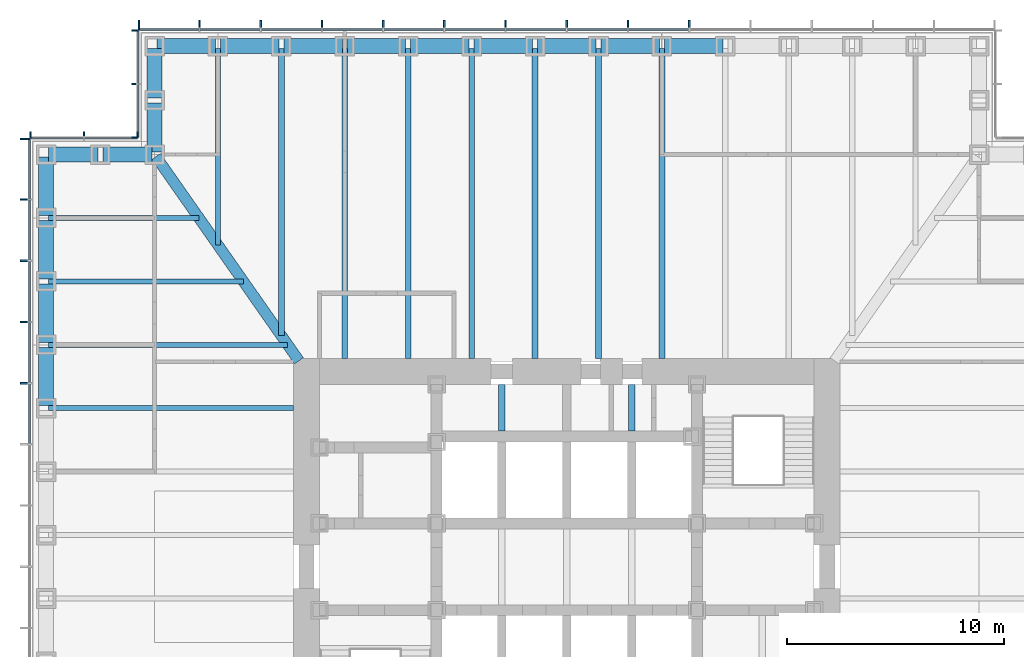
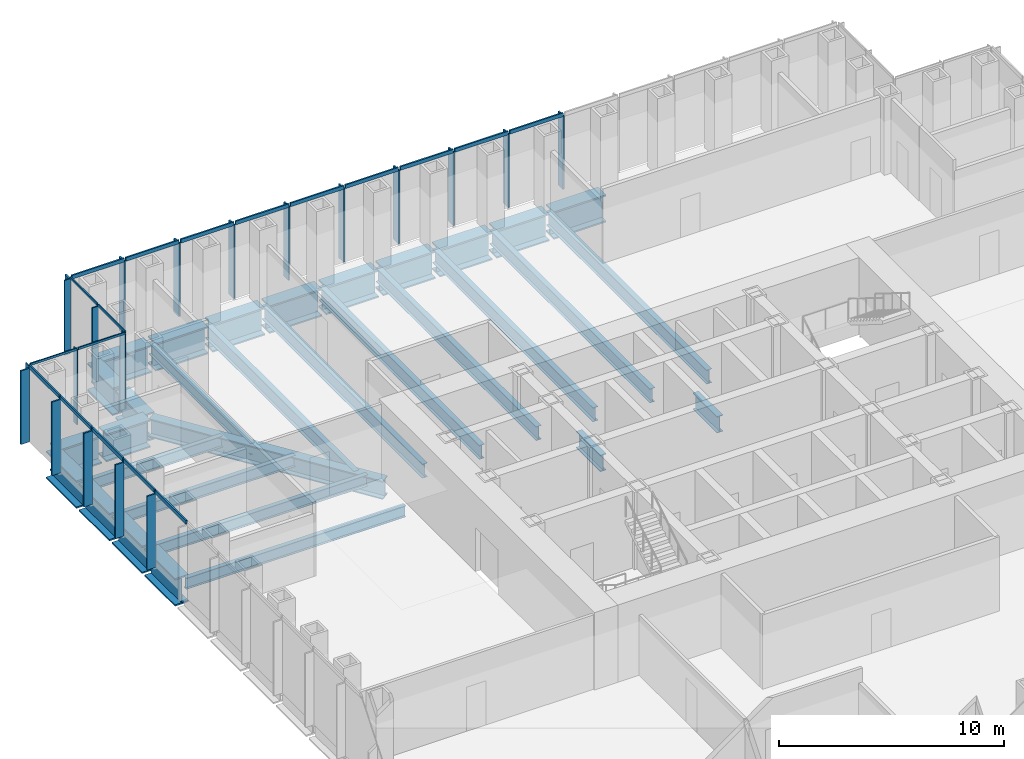
# One storey, part 5 of 17: 39 members, 32 beams, 4 elements without a shape of their own.
"""IFC4 building model written with IfcOpenShell, lengths in metres."""

from ifc_helpers import new_model, si_unit, direction, frame, origin, origin_2d, place, context, subcontext, project, spatial, rectangle, i_section, extrude, material, material_profile, profile_set, type_object, element, aggregate, save


model = new_model("IFC4")

# Units and contexts
model_context = context("Model", 3, precision=1e-05, world=origin(), true_north=direction((0.0, 1.0)))
body_context = subcontext(model_context, "Body", "Model", "MODEL_VIEW")
ifc_project = project(units=[si_unit("LENGTHUNIT", "METRE"), si_unit("AREAUNIT", "SQUARE_METRE"), si_unit("VOLUMEUNIT", "CUBIC_METRE"), si_unit("PLANEANGLEUNIT", "RADIAN"), si_unit("MASSUNIT", "GRAM", prefix="KILO")], contexts=[model_context])

# Site, building, storey
site_placement = place(None, origin())
site = spatial("IfcSite", under=ifc_project, at=site_placement, CompositionType="ELEMENT")
building_placement = place(site_placement, origin())
building = spatial("IfcBuilding", under=site, at=building_placement, Name="Daluyong Arena Tower", CompositionType="ELEMENT")
storey_placement = place(building_placement, frame((0.0, 0.0, 85.300048828125)))
storey = spatial("IfcBuildingStorey", under=building, at=storey_placement, Name="L18", CompositionType="ELEMENT", Elevation=85.300048828125)

# Curtain wall, members
ifc_material_1 = material(Name="Bronze anodised aluminium and glass", Category="aluminium")
curtain_wall_type_1 = type_object("IfcCurtainWallType", Name="Curtain wall CW1", PredefinedType="USERDEFINED", material=ifc_material_1)
curtain_wall_1_placement = place(storey_placement, origin())
curtain_wall_1 = element("IfcCurtainWall", 1, at=curtain_wall_1_placement, inside=storey, type_object=curtain_wall_type_1, Name="curtain wall L18 N", ObjectType="UNITISED CURTAIN WALL", PredefinedType="USERDEFINED")
ifc_material_2 = material(Name="Bronze anodised aluminium fin", Category="aluminium")
ifc_material_profile_1 = material_profile(ifc_material_2, rectangle(XDim=0.449951171875, YDim=0.080078125, at=origin_2d()))
ifc_profile_set_1 = profile_set([ifc_material_profile_1], Name="Bronze anodised aluminium fin")
member_type_1 = type_object("IfcMemberType", Name="CW1 bronze fin 450x80", PredefinedType="MULLION", material=ifc_profile_set_1)
member_1_placement = place(storey_placement, frame((61.642822265625, 104.97509765625, 0.0), z_axis=(0.0, 0.0, 1.0), x_axis=(0.0, -1.0, 0.0)))
member_1 = element("IfcMember", 2, at=member_1_placement, type_object=member_type_1, Name="curtain wall L18 N fin 6", PredefinedType="MULLION", context=body_context, shape_type="SweptSolid", body=[
    extrude(rectangle(XDim=0.449951171875, YDim=0.080078125, at=origin_2d()), origin(), (0.0, 0.0, 1.0), 4.0),
])
member_2_placement = place(storey_placement, frame((58.821533203125, 104.97509765625, 0.0), z_axis=(0.0, 0.0, 1.0), x_axis=(0.0, -1.0, 0.0)))
member_2 = element("IfcMember", 3, at=member_2_placement, type_object=member_type_1, Name="curtain wall L18 N fin 7", PredefinedType="MULLION", context=body_context, shape_type="SweptSolid", body=[
    extrude(rectangle(XDim=0.449951171875, YDim=0.080078125, at=origin_2d()), origin(), (0.0, 0.0, 1.0), 4.0),
])
member_3_placement = place(storey_placement, frame((56.0, 104.97509765625, 0.0), z_axis=(0.0, 0.0, 1.0), x_axis=(0.0, -1.0, 0.0)))
member_3 = element("IfcMember", 4, at=member_3_placement, type_object=member_type_1, Name="curtain wall L18 N fin 8", PredefinedType="MULLION", context=body_context, shape_type="SweptSolid", body=[
    extrude(rectangle(XDim=0.449951171875, YDim=0.080078125, at=origin_2d()), origin(), (0.0, 0.0, 1.0), 4.0),
])
member_4_placement = place(storey_placement, frame((53.178466796875, 104.97509765625, 0.0), z_axis=(0.0, 0.0, 1.0), x_axis=(0.0, -1.0, 0.0)))
member_4 = element("IfcMember", 5, at=member_4_placement, type_object=member_type_1, Name="curtain wall L18 N fin 9", PredefinedType="MULLION", context=body_context, shape_type="SweptSolid", body=[
    extrude(rectangle(XDim=0.449951171875, YDim=0.080078125, at=origin_2d()), origin(), (0.0, 0.0, 1.0), 4.0),
])
member_5_placement = place(storey_placement, frame((50.357177734375, 104.97509765625, 0.0), z_axis=(0.0, 0.0, 1.0), x_axis=(0.0, -1.0, 0.0)))
member_5 = element("IfcMember", 6, at=member_5_placement, type_object=member_type_1, Name="curtain wall L18 N fin 10", PredefinedType="MULLION", context=body_context, shape_type="SweptSolid", body=[
    extrude(rectangle(XDim=0.449951171875, YDim=0.080078125, at=origin_2d()), origin(), (0.0, 0.0, 1.0), 4.0),
])
member_6_placement = place(storey_placement, frame((47.53564453125, 104.97509765625, 0.0), z_axis=(0.0, 0.0, 1.0), x_axis=(0.0, -1.0, 0.0)))
member_6 = element("IfcMember", 7, at=member_6_placement, type_object=member_type_1, Name="curtain wall L18 N fin 11", PredefinedType="MULLION", context=body_context, shape_type="SweptSolid", body=[
    extrude(rectangle(XDim=0.449951171875, YDim=0.080078125, at=origin_2d()), origin(), (0.0, 0.0, 1.0), 4.0),
])
member_7_placement = place(storey_placement, frame((44.71435546875, 104.97509765625, 0.0), z_axis=(0.0, 0.0, 1.0), x_axis=(0.0, -1.0, 0.0)))
member_7 = element("IfcMember", 8, at=member_7_placement, type_object=member_type_1, Name="curtain wall L18 N fin 12", PredefinedType="MULLION", context=body_context, shape_type="SweptSolid", body=[
    extrude(rectangle(XDim=0.449951171875, YDim=0.080078125, at=origin_2d()), origin(), (0.0, 0.0, 1.0), 4.0),
])
member_8_placement = place(storey_placement, frame((41.892822265625, 104.97509765625, 0.0), z_axis=(0.0, 0.0, 1.0), x_axis=(0.0, -1.0, 0.0)))
member_8 = element("IfcMember", 9, at=member_8_placement, type_object=member_type_1, Name="curtain wall L18 N fin 13", PredefinedType="MULLION", context=body_context, shape_type="SweptSolid", body=[
    extrude(rectangle(XDim=0.449951171875, YDim=0.080078125, at=origin_2d()), origin(), (0.0, 0.0, 1.0), 4.0),
])
member_9_placement = place(storey_placement, frame((39.071533203125, 104.97509765625, 0.0), z_axis=(0.0, 0.0, 1.0), x_axis=(0.0, -1.0, 0.0)))
member_9 = element("IfcMember", 10, at=member_9_placement, type_object=member_type_1, Name="curtain wall L18 N fin 14", PredefinedType="MULLION", context=body_context, shape_type="SweptSolid", body=[
    extrude(rectangle(XDim=0.449951171875, YDim=0.080078125, at=origin_2d()), origin(), (0.0, 0.0, 1.0), 4.0),
])
member_10_placement = place(storey_placement, frame((36.2900390625, 104.97509765625, 0.0), z_axis=(0.0, 0.0, 1.0), x_axis=(0.0, -1.0, 0.0)))
member_10 = element("IfcMember", 11, at=member_10_placement, type_object=member_type_1, Name="curtain wall L18 N fin 15", PredefinedType="MULLION", context=body_context, shape_type="SweptSolid", body=[
    extrude(rectangle(XDim=0.449951171875, YDim=0.080078125, at=origin_2d()), origin(), (0.0, 0.0, 1.0), 4.0),
])

curtain_wall_2_placement = place(storey_placement, origin())
curtain_wall_2 = element("IfcCurtainWall", 12, at=curtain_wall_2_placement, inside=storey, type_object=curtain_wall_type_1, Name="curtain wall L18 W", ObjectType="UNITISED CURTAIN WALL", PredefinedType="USERDEFINED")
member_11_placement = place(storey_placement, frame((31.02490234375, 99.7099609375, 0.0), z_axis=(0.0, 0.0, 1.0), x_axis=(1.0, 0.0, 0.0)))
member_11 = element("IfcMember", 13, at=member_11_placement, type_object=member_type_1, Name="curtain wall L18 W fin 1", PredefinedType="MULLION", context=body_context, shape_type="SweptSolid", body=[
    extrude(rectangle(XDim=0.449951171875, YDim=0.080078125, at=origin_2d()), origin(), (0.0, 0.0, 1.0), 4.0),
])
member_12_placement = place(storey_placement, frame((31.02490234375, 96.928466796875, 0.0), z_axis=(0.0, 0.0, 1.0), x_axis=(1.0, 0.0, 0.0)))
member_12 = element("IfcMember", 14, at=member_12_placement, type_object=member_type_1, Name="curtain wall L18 W fin 2", PredefinedType="MULLION", context=body_context, shape_type="SweptSolid", body=[
    extrude(rectangle(XDim=0.449951171875, YDim=0.080078125, at=origin_2d()), origin(), (0.0, 0.0, 1.0), 4.0),
])
member_13_placement = place(storey_placement, frame((31.02490234375, 94.107177734375, 0.0), z_axis=(0.0, 0.0, 1.0), x_axis=(1.0, 0.0, 0.0)))
member_13 = element("IfcMember", 15, at=member_13_placement, type_object=member_type_1, Name="curtain wall L18 W fin 3", PredefinedType="MULLION", context=body_context, shape_type="SweptSolid", body=[
    extrude(rectangle(XDim=0.449951171875, YDim=0.080078125, at=origin_2d()), origin(), (0.0, 0.0, 1.0), 4.0),
])
member_14_placement = place(storey_placement, frame((31.02490234375, 91.28564453125, 0.0), z_axis=(0.0, 0.0, 1.0), x_axis=(1.0, 0.0, 0.0)))
member_14 = element("IfcMember", 16, at=member_14_placement, type_object=member_type_1, Name="curtain wall L18 W fin 4", PredefinedType="MULLION", context=body_context, shape_type="SweptSolid", body=[
    extrude(rectangle(XDim=0.449951171875, YDim=0.080078125, at=origin_2d()), origin(), (0.0, 0.0, 1.0), 4.0),
])
member_15_placement = place(storey_placement, frame((31.02490234375, 88.46435546875, 0.0), z_axis=(0.0, 0.0, 1.0), x_axis=(1.0, 0.0, 0.0)))
member_15 = element("IfcMember", 17, at=member_15_placement, type_object=member_type_1, Name="curtain wall L18 W fin 5", PredefinedType="MULLION", context=body_context, shape_type="SweptSolid", body=[
    extrude(rectangle(XDim=0.449951171875, YDim=0.080078125, at=origin_2d()), origin(), (0.0, 0.0, 1.0), 4.0),
])

# Member
ifc_material_3 = material(Name="Bronze anodised aluminium", Category="aluminium")
ifc_material_profile_2 = material_profile(ifc_material_3, rectangle(XDim=0.080078125, YDim=0.199951171875, at=origin_2d()))
ifc_profile_set_2 = profile_set([ifc_material_profile_2], Name="Bronze anodised aluminium")
member_type_2 = type_object("IfcMemberType", Name="CW1 stack transom 200x80", PredefinedType="USERDEFINED", material=ifc_profile_set_2)
member_16_placement = place(storey_placement, frame((61.602783203125, 104.75, 4.099853515625), z_axis=(-1.0, 0.0, 0.0), x_axis=(0.0, -1.0, 0.0)))
member_16 = element("IfcMember", 18, at=member_16_placement, type_object=member_type_2, Name="curtain wall L18 N transom 6", ObjectType="TRANSOM", PredefinedType="USERDEFINED", context=body_context, shape_type="SweptSolid", body=[
    extrude(rectangle(XDim=0.080078125, YDim=0.199951171875, at=origin_2d()), origin(), (0.0, 0.0, 1.0), 2.741455078125),
])

member_17_placement = place(storey_placement, frame((58.781494140625, 104.75, 4.099853515625), z_axis=(-1.0, 0.0, 0.0), x_axis=(0.0, -1.0, 0.0)))
member_17 = element("IfcMember", 19, at=member_17_placement, type_object=member_type_2, Name="curtain wall L18 N transom 7", ObjectType="TRANSOM", PredefinedType="USERDEFINED", context=body_context, shape_type="SweptSolid", body=[
    extrude(rectangle(XDim=0.080078125, YDim=0.199951171875, at=origin_2d()), origin(), (0.0, 0.0, 1.0), 2.741455078125),
])

member_18_placement = place(storey_placement, frame((55.9599609375, 104.75, 4.099853515625), z_axis=(-1.0, 0.0, 0.0), x_axis=(0.0, -1.0, 0.0)))
member_18 = element("IfcMember", 20, at=member_18_placement, type_object=member_type_2, Name="curtain wall L18 N transom 8", ObjectType="TRANSOM", PredefinedType="USERDEFINED", context=body_context, shape_type="SweptSolid", body=[
    extrude(rectangle(XDim=0.080078125, YDim=0.199951171875, at=origin_2d()), origin(), (0.0, 0.0, 1.0), 2.741455078125),
])

member_19_placement = place(storey_placement, frame((53.138671875, 104.75, 4.099853515625), z_axis=(-1.0, 0.0, 0.0), x_axis=(0.0, -1.0, 0.0)))
member_19 = element("IfcMember", 21, at=member_19_placement, type_object=member_type_2, Name="curtain wall L18 N transom 9", ObjectType="TRANSOM", PredefinedType="USERDEFINED", context=body_context, shape_type="SweptSolid", body=[
    extrude(rectangle(XDim=0.080078125, YDim=0.199951171875, at=origin_2d()), origin(), (0.0, 0.0, 1.0), 2.741455078125),
])

member_20_placement = place(storey_placement, frame((50.317138671875, 104.75, 4.099853515625), z_axis=(-1.0, 0.0, 0.0), x_axis=(0.0, -1.0, 0.0)))
member_20 = element("IfcMember", 22, at=member_20_placement, type_object=member_type_2, Name="curtain wall L18 N transom 10", ObjectType="TRANSOM", PredefinedType="USERDEFINED", context=body_context, shape_type="SweptSolid", body=[
    extrude(rectangle(XDim=0.080078125, YDim=0.199951171875, at=origin_2d()), origin(), (0.0, 0.0, 1.0), 2.741455078125),
])

member_21_placement = place(storey_placement, frame((47.49560546875, 104.75, 4.099853515625), z_axis=(-1.0, 0.0, 0.0), x_axis=(0.0, -1.0, 0.0)))
member_21 = element("IfcMember", 23, at=member_21_placement, type_object=member_type_2, Name="curtain wall L18 N transom 11", ObjectType="TRANSOM", PredefinedType="USERDEFINED", context=body_context, shape_type="SweptSolid", body=[
    extrude(rectangle(XDim=0.080078125, YDim=0.199951171875, at=origin_2d()), origin(), (0.0, 0.0, 1.0), 2.7412109375),
])

member_22_placement = place(storey_placement, frame((44.67431640625, 104.75, 4.099853515625), z_axis=(-1.0, 0.0, 0.0), x_axis=(0.0, -1.0, 0.0)))
member_22 = element("IfcMember", 24, at=member_22_placement, type_object=member_type_2, Name="curtain wall L18 N transom 12", ObjectType="TRANSOM", PredefinedType="USERDEFINED", context=body_context, shape_type="SweptSolid", body=[
    extrude(rectangle(XDim=0.080078125, YDim=0.199951171875, at=origin_2d()), origin(), (0.0, 0.0, 1.0), 2.741455078125),
])

member_23_placement = place(storey_placement, frame((41.852783203125, 104.75, 4.099853515625), z_axis=(-1.0, 0.0, 0.0), x_axis=(0.0, -1.0, 0.0)))
member_23 = element("IfcMember", 25, at=member_23_placement, type_object=member_type_2, Name="curtain wall L18 N transom 13", ObjectType="TRANSOM", PredefinedType="USERDEFINED", context=body_context, shape_type="SweptSolid", body=[
    extrude(rectangle(XDim=0.080078125, YDim=0.199951171875, at=origin_2d()), origin(), (0.0, 0.0, 1.0), 2.741455078125),
])

member_24_placement = place(storey_placement, frame((39.031494140625, 104.75, 4.099853515625), z_axis=(-1.0, 0.0, 0.0), x_axis=(0.0, -1.0, 0.0)))
member_24 = element("IfcMember", 26, at=member_24_placement, type_object=member_type_2, Name="curtain wall L18 N transom 14", ObjectType="TRANSOM", PredefinedType="USERDEFINED", context=body_context, shape_type="SweptSolid", body=[
    extrude(rectangle(XDim=0.080078125, YDim=0.199951171875, at=origin_2d()), origin(), (0.0, 0.0, 1.0), 2.701416015625),
])

aggregate(curtain_wall_1, [member_1, member_2, member_3, member_4, member_5, member_6, member_7, member_8, member_9, member_10, member_16, member_17, member_18, member_19, member_20, member_21, member_22, member_23, member_24])

member_25_placement = place(storey_placement, frame((31.25, 99.669921875, 4.099853515625), z_axis=(0.0, -1.0, 0.0), x_axis=(1.0, 0.0, 0.0)))
member_25 = element("IfcMember", 27, at=member_25_placement, type_object=member_type_2, Name="curtain wall L18 W transom 1", ObjectType="TRANSOM", PredefinedType="USERDEFINED", context=body_context, shape_type="SweptSolid", body=[
    extrude(rectangle(XDim=0.080078125, YDim=0.199951171875, at=origin_2d()), origin(), (0.0, 0.0, 1.0), 2.701416015625),
])

member_26_placement = place(storey_placement, frame((31.25, 96.888671875, 4.099853515625), z_axis=(0.0, -1.0, 0.0), x_axis=(1.0, 0.0, 0.0)))
member_26 = element("IfcMember", 28, at=member_26_placement, type_object=member_type_2, Name="curtain wall L18 W transom 2", ObjectType="TRANSOM", PredefinedType="USERDEFINED", context=body_context, shape_type="SweptSolid", body=[
    extrude(rectangle(XDim=0.080078125, YDim=0.199951171875, at=origin_2d()), origin(), (0.0, 0.0, 1.0), 2.741455078125),
])

member_27_placement = place(storey_placement, frame((31.25, 94.067138671875, 4.099853515625), z_axis=(0.0, -1.0, 0.0), x_axis=(1.0, 0.0, 0.0)))
member_27 = element("IfcMember", 29, at=member_27_placement, type_object=member_type_2, Name="curtain wall L18 W transom 3", ObjectType="TRANSOM", PredefinedType="USERDEFINED", context=body_context, shape_type="SweptSolid", body=[
    extrude(rectangle(XDim=0.080078125, YDim=0.199951171875, at=origin_2d()), origin(), (0.0, 0.0, 1.0), 2.741455078125),
])

member_28_placement = place(storey_placement, frame((31.25, 91.24560546875, 4.099853515625), z_axis=(0.0, -1.0, 0.0), x_axis=(1.0, 0.0, 0.0)))
member_28 = element("IfcMember", 30, at=member_28_placement, type_object=member_type_2, Name="curtain wall L18 W transom 4", ObjectType="TRANSOM", PredefinedType="USERDEFINED", context=body_context, shape_type="SweptSolid", body=[
    extrude(rectangle(XDim=0.080078125, YDim=0.199951171875, at=origin_2d()), origin(), (0.0, 0.0, 1.0), 2.7412109375),
])

member_29_placement = place(storey_placement, frame((31.25, 88.42431640625, 4.099853515625), z_axis=(0.0, -1.0, 0.0), x_axis=(1.0, 0.0, 0.0)))
member_29 = element("IfcMember", 31, at=member_29_placement, type_object=member_type_2, Name="curtain wall L18 W transom 5", ObjectType="TRANSOM", PredefinedType="USERDEFINED", context=body_context, shape_type="SweptSolid", body=[
    extrude(rectangle(XDim=0.080078125, YDim=0.199951171875, at=origin_2d()), origin(), (0.0, 0.0, 1.0), 2.741455078125),
])

aggregate(curtain_wall_2, [member_11, member_12, member_13, member_14, member_15, member_25, member_26, member_27, member_28, member_29])

# Curtain wall, members
ifc_material_4 = material(Name="Bronze anodised aluminium and glass", Category="aluminium")
curtain_wall_type_2 = type_object("IfcCurtainWallType", Name="Curtain wall CW7", PredefinedType="USERDEFINED", material=ifc_material_4)
curtain_wall_3_placement = place(storey_placement, origin())
curtain_wall_3 = element("IfcCurtainWall", 32, at=curtain_wall_3_placement, inside=storey, type_object=curtain_wall_type_2, Name="curtain wall L18 NW-W", ObjectType="UNITISED CURTAIN WALL", PredefinedType="USERDEFINED")
ifc_material_5 = material(Name="Bronze anodised aluminium fin", Category="aluminium")
ifc_material_profile_3 = material_profile(ifc_material_5, rectangle(XDim=0.300048828125, YDim=0.06005859375, at=origin_2d()))
ifc_profile_set_3 = profile_set([ifc_material_profile_3], Name="Bronze anodised aluminium fin")
member_type_3 = type_object("IfcMemberType", Name="CW7 bronze fin 300x60", PredefinedType="MULLION", material=ifc_profile_set_3)
member_30_placement = place(storey_placement, frame((36.10009765625, 104.719970703125, 0.0), z_axis=(0.0, 0.0, 1.0), x_axis=(1.0, 0.0, 0.0)))
member_30 = element("IfcMember", 33, at=member_30_placement, type_object=member_type_3, Name="curtain wall L18 NW-W fin 1", PredefinedType="MULLION", context=body_context, shape_type="SweptSolid", body=[
    extrude(rectangle(XDim=0.300048828125, YDim=0.06005859375, at=origin_2d()), origin(), (0.0, 0.0, 1.0), 4.079833984375),
])
member_31_placement = place(storey_placement, frame((36.10009765625, 102.25, 0.0), z_axis=(0.0, 0.0, 1.0), x_axis=(1.0, 0.0, 0.0)))
member_31 = element("IfcMember", 34, at=member_31_placement, type_object=member_type_3, Name="curtain wall L18 NW-W fin 2", PredefinedType="MULLION", context=body_context, shape_type="SweptSolid", body=[
    extrude(rectangle(XDim=0.300048828125, YDim=0.06005859375, at=origin_2d()), origin(), (0.0, 0.0, 1.0), 4.079833984375),
])
member_32_placement = place(storey_placement, frame((36.10009765625, 99.780029296875, 0.0), z_axis=(0.0, 0.0, 1.0), x_axis=(1.0, 0.0, 0.0)))
member_32 = element("IfcMember", 35, at=member_32_placement, type_object=member_type_3, Name="curtain wall L18 NW-W fin 3", PredefinedType="MULLION", context=body_context, shape_type="SweptSolid", body=[
    extrude(rectangle(XDim=0.300048828125, YDim=0.06005859375, at=origin_2d()), origin(), (0.0, 0.0, 1.0), 4.079833984375),
])

curtain_wall_4_placement = place(storey_placement, origin())
curtain_wall_4 = element("IfcCurtainWall", 36, at=curtain_wall_4_placement, inside=storey, type_object=curtain_wall_type_2, Name="curtain wall L18 NW-N", ObjectType="UNITISED CURTAIN WALL", PredefinedType="USERDEFINED")
member_33_placement = place(storey_placement, frame((36.219970703125, 99.89990234375, 0.0), z_axis=(0.0, 0.0, 1.0), x_axis=(0.0, -1.0, 0.0)))
member_33 = element("IfcMember", 37, at=member_33_placement, type_object=member_type_3, Name="curtain wall L18 NW-N fin 1", PredefinedType="MULLION", context=body_context, shape_type="SweptSolid", body=[
    extrude(rectangle(XDim=0.300048828125, YDim=0.06005859375, at=origin_2d()), origin(), (0.0, 0.0, 1.0), 4.079833984375),
])
member_34_placement = place(storey_placement, frame((33.75, 99.89990234375, 0.0), z_axis=(0.0, 0.0, 1.0), x_axis=(0.0, -1.0, 0.0)))
member_34 = element("IfcMember", 38, at=member_34_placement, type_object=member_type_3, Name="curtain wall L18 NW-N fin 2", PredefinedType="MULLION", context=body_context, shape_type="SweptSolid", body=[
    extrude(rectangle(XDim=0.300048828125, YDim=0.06005859375, at=origin_2d()), origin(), (0.0, 0.0, 1.0), 4.079833984375),
])
member_35_placement = place(storey_placement, frame((31.280029296875, 99.89990234375, 0.0), z_axis=(0.0, 0.0, 1.0), x_axis=(0.0, -1.0, 0.0)))
member_35 = element("IfcMember", 39, at=member_35_placement, type_object=member_type_3, Name="curtain wall L18 NW-N fin 3", PredefinedType="MULLION", context=body_context, shape_type="SweptSolid", body=[
    extrude(rectangle(XDim=0.300048828125, YDim=0.06005859375, at=origin_2d()), origin(), (0.0, 0.0, 1.0), 4.079833984375),
])

# Member
ifc_material_6 = material(Name="Bronze anodised aluminium", Category="aluminium")
ifc_material_profile_4 = material_profile(ifc_material_6, rectangle(XDim=0.06005859375, YDim=0.1201171875, at=origin_2d()))
ifc_profile_set_4 = profile_set([ifc_material_profile_4], Name="Bronze anodised aluminium")
member_type_4 = type_object("IfcMemberType", Name="CW7 stack transom 120x60", PredefinedType="USERDEFINED", material=ifc_profile_set_4)
member_36_placement = place(storey_placement, frame((36.25, 104.68994140625, 4.139892578125), z_axis=(0.0, -1.0, 0.0), x_axis=(1.0, 0.0, 0.0)))
member_36 = element("IfcMember", 40, at=member_36_placement, type_object=member_type_4, Name="curtain wall L18 NW-W transom 1", ObjectType="TRANSOM", PredefinedType="USERDEFINED", context=body_context, shape_type="SweptSolid", body=[
    extrude(rectangle(XDim=0.06005859375, YDim=0.1201171875, at=origin_2d()), origin(), (0.0, 0.0, 1.0), 2.409912109375),
])

member_37_placement = place(storey_placement, frame((36.25, 102.219970703125, 4.139892578125), z_axis=(0.0, -1.0, 0.0), x_axis=(1.0, 0.0, 0.0)))
member_37 = element("IfcMember", 41, at=member_37_placement, type_object=member_type_4, Name="curtain wall L18 NW-W transom 2", ObjectType="TRANSOM", PredefinedType="USERDEFINED", context=body_context, shape_type="SweptSolid", body=[
    extrude(rectangle(XDim=0.06005859375, YDim=0.1201171875, at=origin_2d()), origin(), (0.0, 0.0, 1.0), 2.409912109375),
])

aggregate(curtain_wall_3, [member_30, member_31, member_32, member_36, member_37])

member_38_placement = place(storey_placement, frame((36.18994140625, 99.75, 4.139892578125), z_axis=(-1.0, 0.0, 0.0), x_axis=(0.0, -1.0, 0.0)))
member_38 = element("IfcMember", 42, at=member_38_placement, type_object=member_type_4, Name="curtain wall L18 NW-N transom 1", ObjectType="TRANSOM", PredefinedType="USERDEFINED", context=body_context, shape_type="SweptSolid", body=[
    extrude(rectangle(XDim=0.06005859375, YDim=0.1201171875, at=origin_2d()), origin(), (0.0, 0.0, 1.0), 2.409912109375),
])

member_39_placement = place(storey_placement, frame((33.719970703125, 99.75, 4.139892578125), z_axis=(-1.0, 0.0, 0.0), x_axis=(0.0, -1.0, 0.0)))
member_39 = element("IfcMember", 43, at=member_39_placement, type_object=member_type_4, Name="curtain wall L18 NW-N transom 2", ObjectType="TRANSOM", PredefinedType="USERDEFINED", context=body_context, shape_type="SweptSolid", body=[
    extrude(rectangle(XDim=0.06005859375, YDim=0.1201171875, at=origin_2d()), origin(), (0.0, 0.0, 1.0), 2.409912109375),
])

aggregate(curtain_wall_4, [member_33, member_34, member_35, member_38, member_39])

# Beams
ifc_material_7 = material(Name="Steel ASTM A572 Grade 50", Category="steel")
ifc_material_profile_5 = material_profile(ifc_material_7, i_section(OverallWidth=0.5, OverallDepth=1.0, WebThickness=0.03, FlangeThickness=0.06, at=origin_2d()))
ifc_profile_set_5 = profile_set([ifc_material_profile_5], Name="Steel ASTM A572 Grade 50")
beam_type_1 = type_object("IfcBeamType", Name="Corner girder TB1000X500", PredefinedType="BEAM", material=ifc_profile_set_5)
beam_1_placement = place(storey_placement, frame((37.06591796875, 98.90576171875, -0.66015625), z_axis=(0.573466621875, -0.819228926244, 0.0), x_axis=(0.819228926244, 0.573466621875, 0.0)))
element("IfcBeam", 44, at=beam_1_placement, inside=storey, type_object=beam_type_1, Name="corner girder DG2", PredefinedType="BEAM", context=body_context, shape_type="SweptSolid", body=[
    extrude(i_section(OverallWidth=0.5, OverallDepth=1.0, WebThickness=0.03, FlangeThickness=0.06, at=origin_2d()), origin(), (0.0, 0.0, 1.0), 11.49169921875),
])
ifc_material_8 = material(Name="Steel ASTM A992 Grade 50", Category="steel")
ifc_material_profile_6 = material_profile(ifc_material_8, i_section(OverallWidth=0.22900390625, OverallDepth=0.612060546875, WebThickness=0.011962890625, FlangeThickness=0.01953125, at=origin_2d()))
ifc_profile_set_6 = profile_set([ifc_material_profile_6], Name="Steel ASTM A992 Grade 50")
beam_type_2 = type_object("IfcBeamType", Name="Floor beam W24X84", PredefinedType="BEAM", material=ifc_profile_set_6)
beam_2_placement = place(storey_placement, frame((39.923095703125, 103.885009765625, -0.466064453125), z_axis=(0.0, -1.0, 0.0), x_axis=(1.0, 0.0, 0.0)))
element("IfcBeam", 45, at=beam_2_placement, inside=storey, type_object=beam_type_2, Name="floor beam FB3", PredefinedType="BEAM", context=body_context, shape_type="SweptSolid", body=[
    extrude(i_section(OverallWidth=0.22900390625, OverallDepth=0.612060546875, WebThickness=0.011962890625, FlangeThickness=0.01953125, at=origin_2d()), origin(), (0.0, 0.0, 1.0), 9.060791015625),
])
beam_3_placement = place(storey_placement, frame((32.114990234375, 96.076904296875, -0.466064453125), z_axis=(1.0, 0.0, 0.0), x_axis=(0.0, 1.0, 0.0)))
element("IfcBeam", 46, at=beam_3_placement, inside=storey, type_object=beam_type_2, Name="floor beam FB3", PredefinedType="BEAM", context=body_context, shape_type="SweptSolid", body=[
    extrude(i_section(OverallWidth=0.22900390625, OverallDepth=0.612060546875, WebThickness=0.011962890625, FlangeThickness=0.01953125, at=origin_2d()), origin(), (0.0, 0.0, 1.0), 6.93115234375),
])
beam_4_placement = place(storey_placement, frame((32.114990234375, 93.15380859375, -0.466064453125), z_axis=(1.0, 0.0, 0.0), x_axis=(0.0, 1.0, 0.0)))
element("IfcBeam", 47, at=beam_4_placement, inside=storey, type_object=beam_type_2, Name="floor beam FB3", PredefinedType="BEAM", context=body_context, shape_type="SweptSolid", body=[
    extrude(i_section(OverallWidth=0.22900390625, OverallDepth=0.612060546875, WebThickness=0.011962890625, FlangeThickness=0.01953125, at=origin_2d()), origin(), (0.0, 0.0, 1.0), 8.977294921875),
])
beam_5_placement = place(storey_placement, frame((32.114990234375, 90.230712890625, -0.466064453125), z_axis=(1.0, 0.0, 0.0), x_axis=(0.0, 1.0, 0.0)))
element("IfcBeam", 48, at=beam_5_placement, inside=storey, type_object=beam_type_2, Name="floor beam FB3", PredefinedType="BEAM", context=body_context, shape_type="SweptSolid", body=[
    extrude(i_section(OverallWidth=0.22900390625, OverallDepth=0.612060546875, WebThickness=0.011962890625, FlangeThickness=0.01953125, at=origin_2d()), origin(), (0.0, 0.0, 1.0), 11.0234375),
])
beam_6_placement = place(storey_placement, frame((32.114990234375, 87.3076171875, -0.466064453125), z_axis=(1.0, 0.0, 0.0), x_axis=(0.0, 1.0, 0.0)))
element("IfcBeam", 49, at=beam_6_placement, inside=storey, type_object=beam_type_2, Name="floor beam FB3", PredefinedType="BEAM", context=body_context, shape_type="SweptSolid", body=[
    extrude(i_section(OverallWidth=0.22900390625, OverallDepth=0.612060546875, WebThickness=0.011962890625, FlangeThickness=0.01953125, at=origin_2d()), origin(), (0.0, 0.0, 1.0), 11.284912109375),
])
ifc_material_9 = material(Name="Steel ASTM A992 Grade 50", Category="steel")
ifc_material_profile_7 = material_profile(ifc_material_9, i_section(OverallWidth=0.2666015625, OverallDepth=0.761962890625, WebThickness=0.014404296875, FlangeThickness=0.021484375, at=origin_2d()))
ifc_profile_set_7 = profile_set([ifc_material_profile_7], Name="Steel ASTM A992 Grade 50")
beam_type_3 = type_object("IfcBeamType", Name="Floor beam W30X116", PredefinedType="BEAM", material=ifc_profile_set_7)
for number, where, z_axis, x_axis, name in (
    (50, (60.384521484375, 103.885009765625, -0.541015625), (0.0, -1.0, 0.0), (1.0, 0.0, 0.0), "floor beam FB4"),
    (51, (57.46142578125, 103.885009765625, -0.541015625), (0.0, -1.0, 0.0), (1.0, 0.0, 0.0), "floor beam FB4"),
    (52, (54.53857421875, 103.885009765625, -0.541015625), (0.0, -1.0, 0.0), (1.0, 0.0, 0.0), "floor beam FB4"),
    (53, (51.615478515625, 103.885009765625, -0.541015625), (0.0, -1.0, 0.0), (1.0, 0.0, 0.0), "floor beam FB4"),
    (54, (48.6923828125, 103.885009765625, -0.541015625), (0.0, -1.0, 0.0), (1.0, 0.0, 0.0), "floor beam FB4"),
    (55, (45.769287109375, 103.885009765625, -0.541015625), (0.0, -1.0, 0.0), (1.0, 0.0, 0.0), "floor beam FB4"),
):
    element("IfcBeam", number, at=place(storey_placement, frame(where, z_axis=z_axis, x_axis=x_axis)), inside=storey, type_object=beam_type_3, Name=name, PredefinedType="BEAM", context=body_context, shape_type="SweptSolid", body=[
        extrude(i_section(OverallWidth=0.2666015625, OverallDepth=0.761962890625, WebThickness=0.014404296875, FlangeThickness=0.021484375, at=origin_2d()), origin(), (0.0, 0.0, 1.0), 14.284912109375),
    ])
beam_7_placement = place(storey_placement, frame((42.84619140625, 103.885009765625, -0.541015625), z_axis=(0.0, -1.0, 0.0), x_axis=(1.0, 0.0, 0.0)))
element("IfcBeam", 56, at=beam_7_placement, inside=storey, type_object=beam_type_3, Name="floor beam FB4", PredefinedType="BEAM", context=body_context, shape_type="SweptSolid", body=[
    extrude(i_section(OverallWidth=0.2666015625, OverallDepth=0.761962890625, WebThickness=0.014404296875, FlangeThickness=0.021484375, at=origin_2d()), origin(), (0.0, 0.0, 1.0), 13.236572265625),
])
ifc_material_10 = material(Name="Steel ASTM A572 Grade 50", Category="steel")
ifc_material_profile_8 = material_profile(ifc_material_10, i_section(OverallWidth=0.300048828125, OverallDepth=0.89990234375, WebThickness=0.025, FlangeThickness=0.04, at=origin_2d()))
ifc_profile_set_8 = profile_set([ifc_material_profile_8], Name="Steel ASTM A572 Grade 50")
beam_type_4 = type_object("IfcBeamType", Name="Lift divider beam PG900X300", PredefinedType="BEAM", material=ifc_profile_set_8)
for number, where, z_axis, x_axis, name in (
    (57, (53.0, 86.25, -0.610107421875), (0.0, 1.0, 0.0), (-1.0, 0.0, 0.0), "lift divider beam DB1"),
    (58, (59.0, 86.25, -0.610107421875), (0.0, 1.0, 0.0), (-1.0, 0.0, 0.0), "lift divider beam DB1"),
):
    element("IfcBeam", number, at=place(storey_placement, frame(where, z_axis=z_axis, x_axis=x_axis)), inside=storey, type_object=beam_type_4, Name=name, PredefinedType="BEAM", context=body_context, shape_type="SweptSolid", body=[
        extrude(i_section(OverallWidth=0.300048828125, OverallDepth=0.89990234375, WebThickness=0.025, FlangeThickness=0.04, at=origin_2d()), origin(), (0.0, 0.0, 1.0), 2.14990234375),
    ])
ifc_material_11 = material(Name="Steel ASTM A572 Grade 50", Category="steel")
ifc_material_profile_9 = material_profile(ifc_material_11, i_section(OverallWidth=0.699951171875, OverallDepth=1.5, WebThickness=0.04, FlangeThickness=0.08, at=origin_2d()))
ifc_profile_set_9 = profile_set([ifc_material_profile_9], Name="Steel ASTM A572 Grade 50")
beam_type_5 = type_object("IfcBeamType", Name="Spandrel Z1 PG1500X700", PredefinedType="SPANDREL", material=ifc_profile_set_9)
for number, where, z_axis, x_axis, name in (
    (59, (63.192626953125, 104.0, -0.91015625), (-1.0, 0.0, 0.0), (0.0, -1.0, 0.0), "spandrel z1 SB4"),
    (60, (60.26953125, 104.0, -0.91015625), (-1.0, 0.0, 0.0), (0.0, -1.0, 0.0), "spandrel z1 SB4"),
):
    element("IfcBeam", number, at=place(storey_placement, frame(where, z_axis=z_axis, x_axis=x_axis)), inside=storey, type_object=beam_type_5, Name=name, PredefinedType="SPANDREL", context=body_context, shape_type="SweptSolid", body=[
        extrude(i_section(OverallWidth=0.699951171875, OverallDepth=1.5, WebThickness=0.04, FlangeThickness=0.08, at=origin_2d()), origin(), (0.0, 0.0, 1.0), 2.693115234375),
    ])
beam_8_placement = place(storey_placement, frame((57.346435546875, 104.0, -0.91015625), z_axis=(-1.0, 0.0, 0.0), x_axis=(0.0, -1.0, 0.0)))
element("IfcBeam", 61, at=beam_8_placement, inside=storey, type_object=beam_type_5, Name="spandrel z1 SB4", PredefinedType="SPANDREL", context=body_context, shape_type="SweptSolid", body=[
    extrude(i_section(OverallWidth=0.699951171875, OverallDepth=1.5, WebThickness=0.04, FlangeThickness=0.08, at=origin_2d()), origin(), (0.0, 0.0, 1.0), 2.69287109375),
])
for number, where, z_axis, x_axis, name in (
    (62, (54.423583984375, 104.0, -0.91015625), (-1.0, 0.0, 0.0), (0.0, -1.0, 0.0), "spandrel z1 SB4"),
    (63, (51.50048828125, 104.0, -0.91015625), (-1.0, 0.0, 0.0), (0.0, -1.0, 0.0), "spandrel z1 SB4"),
    (64, (48.577392578125, 104.0, -0.91015625), (-1.0, 0.0, 0.0), (0.0, -1.0, 0.0), "spandrel z1 SB4"),
    (65, (45.654296875, 104.0, -0.91015625), (-1.0, 0.0, 0.0), (0.0, -1.0, 0.0), "spandrel z1 SB4"),
    (66, (42.731201171875, 104.0, -0.91015625), (-1.0, 0.0, 0.0), (0.0, -1.0, 0.0), "spandrel z1 SB4"),
    (67, (39.80810546875, 104.0, -0.91015625), (-1.0, 0.0, 0.0), (0.0, -1.0, 0.0), "spandrel z1 SB4"),
):
    element("IfcBeam", number, at=place(storey_placement, frame(where, z_axis=z_axis, x_axis=x_axis)), inside=storey, type_object=beam_type_5, Name=name, PredefinedType="SPANDREL", context=body_context, shape_type="SweptSolid", body=[
        extrude(i_section(OverallWidth=0.699951171875, OverallDepth=1.5, WebThickness=0.04, FlangeThickness=0.08, at=origin_2d()), origin(), (0.0, 0.0, 1.0), 2.693115234375),
    ])
for number, where, z_axis, x_axis, name in (
    (68, (37.0, 103.885009765625, -0.91015625), (0.0, -1.0, 0.0), (1.0, 0.0, 0.0), "spandrel z1 SB4"),
    (69, (37.0, 101.385009765625, -0.91015625), (0.0, -1.0, 0.0), (1.0, 0.0, 0.0), "spandrel z1 SB4"),
    (70, (36.885009765625, 99.0, -0.91015625), (-1.0, 0.0, 0.0), (0.0, -1.0, 0.0), "spandrel z1 SB4"),
    (71, (34.385009765625, 99.0, -0.91015625), (-1.0, 0.0, 0.0), (0.0, -1.0, 0.0), "spandrel z1 SB4"),
):
    element("IfcBeam", number, at=place(storey_placement, frame(where, z_axis=z_axis, x_axis=x_axis)), inside=storey, type_object=beam_type_5, Name=name, PredefinedType="SPANDREL", context=body_context, shape_type="SweptSolid", body=[
        extrude(i_section(OverallWidth=0.699951171875, OverallDepth=1.5, WebThickness=0.04, FlangeThickness=0.08, at=origin_2d()), origin(), (0.0, 0.0, 1.0), 2.27001953125),
    ])
for number, where, z_axis, x_axis, name in (
    (72, (32.0, 98.885009765625, -0.91015625), (0.0, -1.0, 0.0), (1.0, 0.0, 0.0), "spandrel z1 SB4"),
    (73, (32.0, 95.9619140625, -0.91015625), (0.0, -1.0, 0.0), (1.0, 0.0, 0.0), "spandrel z1 SB4"),
    (74, (32.0, 93.038818359375, -0.91015625), (0.0, -1.0, 0.0), (1.0, 0.0, 0.0), "spandrel z1 SB4"),
    (75, (32.0, 90.11572265625, -0.91015625), (0.0, -1.0, 0.0), (1.0, 0.0, 0.0), "spandrel z1 SB4"),
):
    element("IfcBeam", number, at=place(storey_placement, frame(where, z_axis=z_axis, x_axis=x_axis)), inside=storey, type_object=beam_type_5, Name=name, PredefinedType="SPANDREL", context=body_context, shape_type="SweptSolid", body=[
        extrude(i_section(OverallWidth=0.699951171875, OverallDepth=1.5, WebThickness=0.04, FlangeThickness=0.08, at=origin_2d()), origin(), (0.0, 0.0, 1.0), 2.693115234375),
    ])

save(model, "model.ifc")
